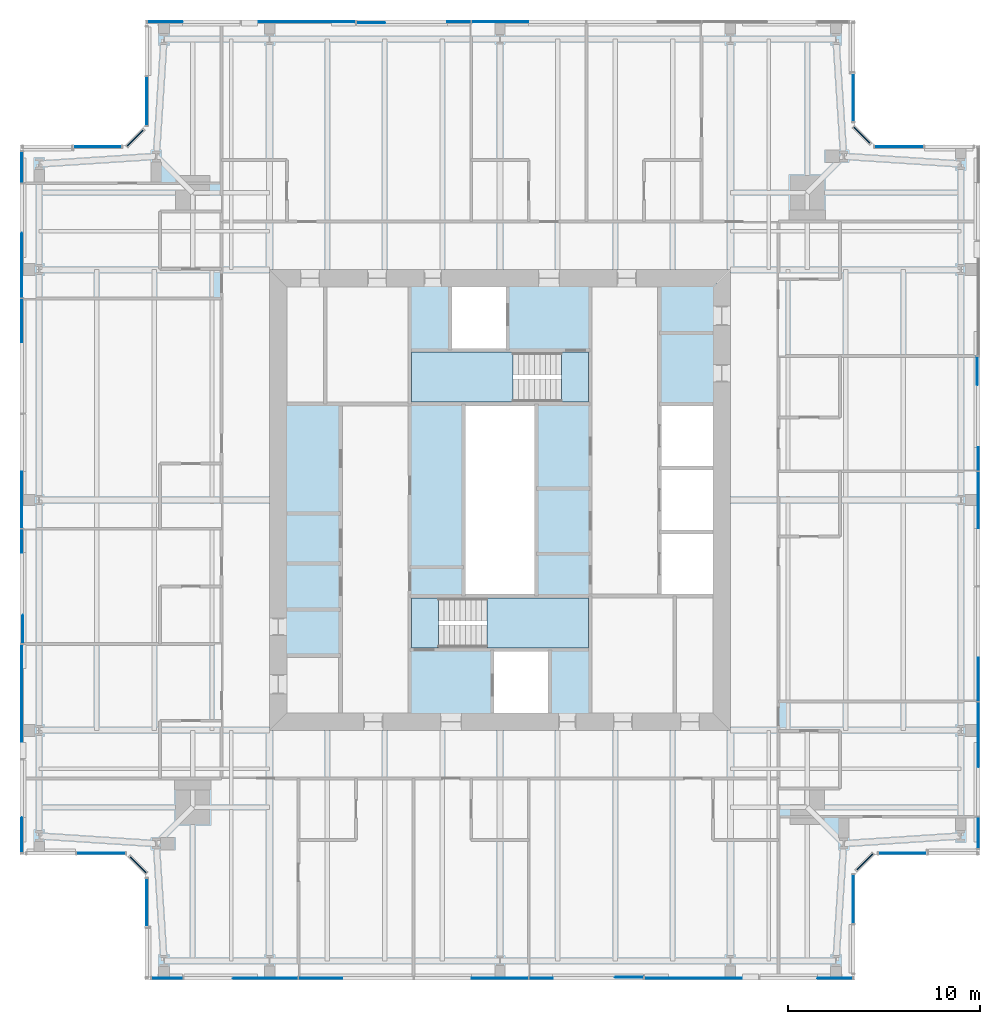
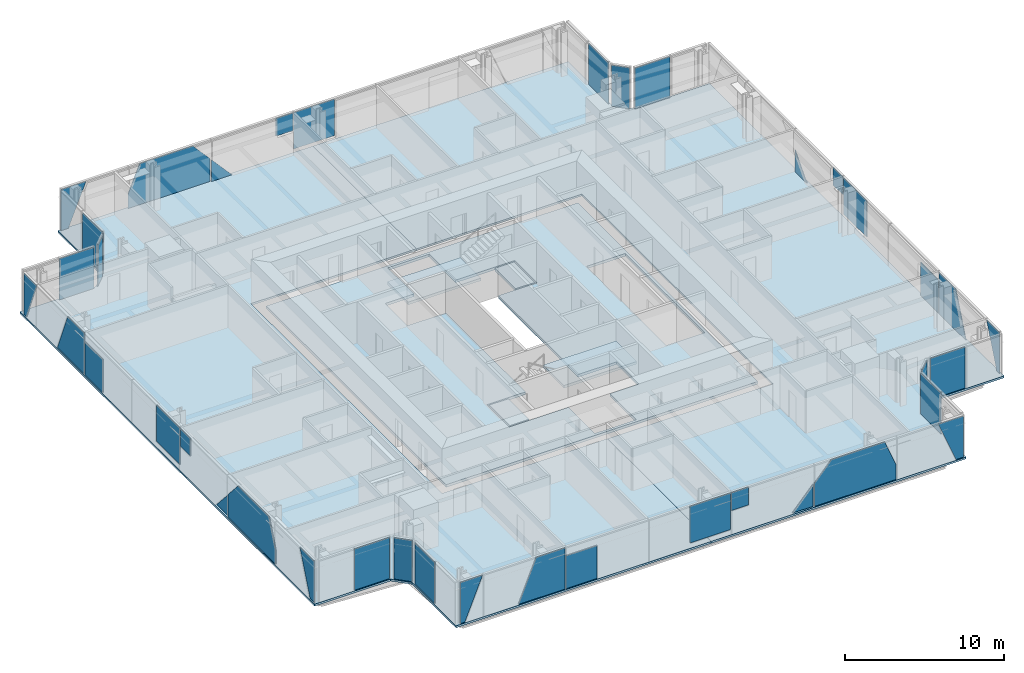
# One storey, part 10 of 20: 39 plates, 7 slabs, 18 elements without a shape of their own.
"""IFC4 building model written with IfcOpenShell, lengths in metres."""

from ifc_helpers import new_model, si_unit, direction, frame, origin, origin_2d, place, context, subcontext, project, spatial, polyline, rectangle, outline, extrude, material, layer, layer_set, type_object, element, aggregate, save


model = new_model("IFC4")

# Units and contexts
model_context = context("Model", 3, precision=1e-05, world=origin(), true_north=direction((0.0, 1.0)))
body_context = subcontext(model_context, "Body", "Model", "MODEL_VIEW")
ifc_project = project(units=[si_unit("LENGTHUNIT", "METRE"), si_unit("AREAUNIT", "SQUARE_METRE"), si_unit("VOLUMEUNIT", "CUBIC_METRE"), si_unit("PLANEANGLEUNIT", "RADIAN"), si_unit("MASSUNIT", "GRAM", prefix="KILO")], contexts=[model_context])

# Site, building, storey
site_placement = place(None, origin())
site = spatial("IfcSite", under=ifc_project, at=site_placement, CompositionType="ELEMENT")
building_placement = place(site_placement, origin())
building = spatial("IfcBuilding", under=site, at=building_placement, Name="Fenwick Lantern Interchange", CompositionType="ELEMENT")
storey_placement = place(building_placement, frame((0.0, 0.0, 286.60009765625)))
storey = spatial("IfcBuildingStorey", under=building, at=storey_placement, Name="L69", CompositionType="ELEMENT", Elevation=286.60009765625)

# Slabs
ifc_material_1 = material(Name="Concrete f'c 35 MPa", Category="concrete")
ifc_layer_1 = layer(ifc_material_1, 0.199951171875)
ifc_layer_set_1 = layer_set([ifc_layer_1], Name="CORE FLOOR SLAB 200")
slab_type_1 = type_object("IfcSlabType", Name="CORE FLOOR SLAB 200", PredefinedType="FLOOR", material=ifc_layer_set_1)
slab_1_placement = place(storey_placement, frame((0.0, 0.0, -0.2001953125)))
element("IfcSlab", 1, at=slab_1_placement, inside=storey, type_object=slab_type_1, Name="L69/SLAB/CORE", PredefinedType="FLOOR", context=body_context, shape_type="SweptSolid", body=[
    extrude(outline(polyline([(13.699951171875, 36.300048828125), (36.300048828125, 36.300048828125), (36.300048828125, 13.699951171875), (13.699951171875, 13.699951171875), (13.699951171875, 36.300048828125)]), holes=[polyline([(24.60009765625, 13.89990234375), (27.60009765625, 13.89990234375), (27.60009765625, 17.199951171875), (29.699951171875, 17.199951171875), (29.699951171875, 20.0), (26.89990234375, 20.0), (26.89990234375, 30.0), (29.699951171875, 30.0), (29.699951171875, 32.800048828125), (25.39990234375, 32.800048828125), (25.39990234375, 36.10009765625), (22.39990234375, 36.10009765625), (22.39990234375, 32.800048828125), (20.300048828125, 32.800048828125), (20.300048828125, 30.0), (23.10009765625, 30.0), (23.10009765625, 20.0), (20.300048828125, 20.0), (20.300048828125, 17.199951171875), (24.60009765625, 17.199951171875), (24.60009765625, 13.89990234375)]), polyline([(33.300048828125, 20.0), (36.10009765625, 20.0), (36.10009765625, 23.333251953125), (36.10009765625, 26.666748046875), (36.10009765625, 30.0), (33.300048828125, 30.0), (33.300048828125, 26.666748046875), (33.300048828125, 23.333251953125), (33.300048828125, 20.0)])]), origin(), (0.0, 0.0, 1.0), 0.2001953125),
])
ifc_material_2 = material(Name="Concrete f'c 35 MPa", Category="concrete")
ifc_layer_2 = layer(ifc_material_2, 0.14990234375)
ifc_layer_set_2 = layer_set([ifc_layer_2], Name="Concrete f'c 35 MPa")
slab_type_2 = type_object("IfcSlabType", Name="FLOOR SLAB 150", PredefinedType="FLOOR", material=ifc_layer_set_2)
slab_2_placement = place(storey_placement, frame((0.0, 0.0, -0.150146484375)))
element("IfcSlab", 2, at=slab_2_placement, inside=storey, type_object=slab_type_2, Name="L69/SLAB/FW", PredefinedType="FLOOR", context=body_context, shape_type="SweptSolid", body=[
    extrude(outline(polyline([(6.5, 0.0), (6.5, 5.5), (5.5, 6.5), (0.0, 6.5), (0.0, 43.5), (5.5, 43.5), (6.5, 44.5), (6.5, 50.0), (25.0, 50.0), (25.0, 37.0), (13.0, 37.0), (13.0, 13.0), (25.0, 13.0), (25.0, 0.0), (6.5, 0.0)])), origin(), (0.0, 0.0, 1.0), 0.150146484375),
])
slab_3_placement = place(storey_placement, frame((0.0, 0.0, -0.150146484375)))
element("IfcSlab", 3, at=slab_3_placement, inside=storey, type_object=slab_type_2, Name="L69/SLAB/FE", PredefinedType="FLOOR", context=body_context, shape_type="SweptSolid", body=[
    extrude(outline(polyline([(43.5, 50.0), (43.5, 44.5), (44.5, 43.5), (50.0, 43.5), (50.0, 6.5), (44.5, 6.5), (43.5, 5.5), (43.5, 0.0), (25.0, 0.0), (25.0, 13.0), (37.0, 13.0), (37.0, 37.0), (25.0, 37.0), (25.0, 50.0), (43.5, 50.0)])), origin(), (0.0, 0.0, 1.0), 0.150146484375),
])

# Curtain wall, plates
ifc_material_3 = material(Name="Aluminium curtain wall frame", Category="aluminium")
curtain_wall_type = type_object("IfcCurtainWallType", Name="HOTEL CURTAIN WALL", PredefinedType="USERDEFINED", material=ifc_material_3)
curtain_wall_1_placement = place(storey_placement, origin())
curtain_wall_1 = element("IfcCurtainWall", 4, at=curtain_wall_1_placement, inside=storey, type_object=curtain_wall_type, Name="Hotel curtain wall 01", ObjectType="HOTEL CURTAIN WALL", PredefinedType="USERDEFINED")
ifc_material_4 = material(Name="Vision glass, acoustic laminated double glazed unit", Category="glass")
ifc_layer_3 = layer(ifc_material_4, 0.052001953125)
ifc_layer_set_3 = layer_set([ifc_layer_3], Name="HOTEL CURTAIN WALL PANEL 52")
plate_type = type_object("IfcPlateType", Name="HOTEL CURTAIN WALL PANEL 52", PredefinedType="CURTAIN_PANEL", material=ifc_layer_set_3)
plate_1_placement = place(storey_placement, frame((6.60009765625, 0.10009765625, 0.0), z_axis=(0.0, 0.0, 1.0), x_axis=(1.0, 0.0, 0.0)))
plate_1 = element("IfcPlate", 5, at=plate_1_placement, type_object=plate_type, Name="L69/CW/01/P00a", PredefinedType="CURTAIN_PANEL", context=body_context, shape_type="SweptSolid", body=[
    extrude(outline(polyline([(0.260009765625, 0.0), (0.58984375, 0.0), (1.8701171875, 3.138427734375), (1.8701171875, 3.14990234375), (0.260009765625, 3.14990234375), (0.260009765625, 0.0)])), frame((0.0, 0.02587890625, 0.0), z_axis=(0.0, -1.0, 0.0), x_axis=(1.0, 0.0, 0.0)), (0.0, 0.0, 1.0), 0.052001953125),
])
plate_2_placement = place(storey_placement, frame((6.60009765625, 0.10009765625, 0.0), z_axis=(0.0, 0.0, 1.0), x_axis=(1.0, 0.0, 0.0)))
plate_2 = element("IfcPlate", 6, at=plate_2_placement, type_object=plate_type, Name="L69/CW/01/P01a", PredefinedType="CURTAIN_PANEL", context=body_context, shape_type="SweptSolid", body=[
    extrude(outline(polyline([(4.477783203125, 0.0), (7.8701171875, 0.0), (7.8701171875, 3.14990234375), (5.7626953125, 3.14990234375), (4.477783203125, 0.0)])), frame((0.0, 0.02587890625, 0.0), z_axis=(0.0, -1.0, 0.0), x_axis=(1.0, 0.0, 0.0)), (0.0, 0.0, 1.0), 0.052001953125),
])
plate_3_placement = place(storey_placement, frame((6.60009765625, 0.10009765625, 0.0), z_axis=(0.0, 0.0, 1.0), x_axis=(1.0, 0.0, 0.0)))
plate_3 = element("IfcPlate", 7, at=plate_3_placement, type_object=plate_type, Name="L69/CW/01/P02a", PredefinedType="CURTAIN_PANEL", context=body_context, shape_type="SweptSolid", body=[
    extrude(outline(polyline([(7.929931640625, 0.0), (10.179931640625, 0.0), (10.179931640625, 2.5234375), (7.929931640625, 2.5234375), (7.929931640625, 0.0)])), frame((0.0, 0.02587890625, 0.0), z_axis=(0.0, -1.0, 0.0), x_axis=(1.0, 0.0, 0.0)), (0.0, 0.0, 1.0), 0.052001953125),
])
plate_4_placement = place(storey_placement, frame((6.60009765625, 0.10009765625, 0.357421875), z_axis=(0.0, 0.0, 1.0), x_axis=(1.0, 0.0, 0.0)))
plate_4 = element("IfcPlate", 8, at=plate_4_placement, type_object=plate_type, Name="L69/CW/01/P03a", PredefinedType="CURTAIN_PANEL", context=body_context, shape_type="SweptSolid", body=[
    extrude(outline(polyline([(16.926513671875, 0.0), (19.8701171875, 0.0), (19.8701171875, 2.79248046875), (16.926513671875, 2.79248046875), (16.926513671875, 0.0)])), frame((0.0, 0.02587890625, 0.0), z_axis=(0.0, -1.0, 0.0), x_axis=(1.0, 0.0, 0.0)), (0.0, 0.0, 1.0), 0.052001953125),
])
plate_5_placement = place(storey_placement, frame((6.60009765625, 0.10009765625, 1.786376953125), z_axis=(0.0, 0.0, 1.0), x_axis=(1.0, 0.0, 0.0)))
plate_5 = element("IfcPlate", 9, at=plate_5_placement, type_object=plate_type, Name="L69/CW/01/P04a", PredefinedType="CURTAIN_PANEL", context=body_context, shape_type="SweptSolid", body=[
    extrude(outline(polyline([(19.929931640625, 0.0), (21.14501953125, 0.0), (21.14501953125, 1.363525390625), (19.929931640625, 1.363525390625), (19.929931640625, 0.0)])), frame((0.0, 0.02587890625, 0.0), z_axis=(0.0, -1.0, 0.0), x_axis=(1.0, 0.0, 0.0)), (0.0, 0.0, 1.0), 0.052001953125),
])
plate_6_placement = place(storey_placement, frame((6.60009765625, 0.10009765625, 0.0), z_axis=(0.0, 0.0, 1.0), x_axis=(1.0, 0.0, 0.0)))
plate_6 = element("IfcPlate", 10, at=plate_6_placement, type_object=plate_type, Name="L69/CW/01/P04b", PredefinedType="CURTAIN_PANEL", context=body_context, shape_type="SweptSolid", body=[
    extrude(outline(polyline([(24.374267578125, 0.0), (25.8701171875, 0.0), (25.8701171875, 1.6806640625), (24.374267578125, 0.0)])), frame((0.0, 0.080078125, 0.0), z_axis=(0.0, -1.0, 0.0), x_axis=(1.0, 0.0, 0.0)), (0.0, 0.0, 1.0), 0.052001953125),
])
plate_7_placement = place(storey_placement, frame((6.60009765625, 0.10009765625, 0.0), z_axis=(0.0, 0.0, 1.0), x_axis=(1.0, 0.0, 0.0)))
plate_7 = element("IfcPlate", 11, at=plate_7_placement, type_object=plate_type, Name="L69/CW/01/P05a", PredefinedType="CURTAIN_PANEL", context=body_context, shape_type="SweptSolid", body=[
    extrude(outline(polyline([(25.929931640625, 0.0), (31.8701171875, 0.0), (31.8701171875, 1.1083984375), (31.037353515625, 3.14990234375), (27.177490234375, 3.14990234375), (25.929931640625, 1.748046875), (25.929931640625, 0.0)])), frame((0.0, 0.02587890625, 0.0), z_axis=(0.0, -1.0, 0.0), x_axis=(1.0, 0.0, 0.0)), (0.0, 0.0, 1.0), 0.052001953125),
])
plate_8_placement = place(storey_placement, frame((6.60009765625, 0.10009765625, 0.0), z_axis=(0.0, 0.0, 1.0), x_axis=(1.0, 0.0, 0.0)))
plate_8 = element("IfcPlate", 12, at=plate_8_placement, type_object=plate_type, Name="L69/CW/01/P06a", PredefinedType="CURTAIN_PANEL", context=body_context, shape_type="SweptSolid", body=[
    extrude(outline(polyline([(36.2099609375, 0.0), (36.739990234375, 0.0), (36.739990234375, 3.14990234375), (34.92529296875, 3.14990234375), (36.2099609375, 0.0)])), frame((0.0, 0.02587890625, 0.0), z_axis=(0.0, -1.0, 0.0), x_axis=(1.0, 0.0, 0.0)), (0.0, 0.0, 1.0), 0.052001953125),
])
aggregate(curtain_wall_1, [plate_1, plate_2, plate_3, plate_4, plate_5, plate_6, plate_7, plate_8])

# Curtain wall, plate
curtain_wall_2_placement = place(storey_placement, origin())
curtain_wall_2 = element("IfcCurtainWall", 13, at=curtain_wall_2_placement, inside=storey, type_object=curtain_wall_type, Name="Hotel curtain wall 02", ObjectType="HOTEL CURTAIN WALL", PredefinedType="USERDEFINED")
plate_9_placement = place(storey_placement, frame((43.39990234375, 4.216064453125, 0.0), z_axis=(0.0, 0.0, 1.0), x_axis=(0.0, 1.0, 0.0)))
plate_9 = element("IfcPlate", 14, at=plate_9_placement, type_object=plate_type, Name="L69/CW/02/P01", PredefinedType="CURTAIN_PANEL", context=body_context, shape_type="SweptSolid", body=[
    extrude(rectangle(XDim=2.53076171875, YDim=0.052001953125, at=origin_2d()), origin(), (0.0, 0.0, 1.0), 3.14990234375),
])
aggregate(curtain_wall_2, [plate_9])

curtain_wall_3_placement = place(storey_placement, origin())
curtain_wall_3 = element("IfcCurtainWall", 15, at=curtain_wall_3_placement, inside=storey, type_object=curtain_wall_type, Name="Hotel curtain wall 03", ObjectType="HOTEL CURTAIN WALL", PredefinedType="USERDEFINED")
plate_10_placement = place(storey_placement, frame((44.0, 6.141357421875, 0.0), z_axis=(0.0, 0.0, 1.0), x_axis=(0.707106781187, 0.707106781187, 0.0)))
plate_10 = element("IfcPlate", 16, at=plate_10_placement, type_object=plate_type, Name="L69/CW/03/P00", PredefinedType="CURTAIN_PANEL", context=body_context, shape_type="SweptSolid", body=[
    extrude(rectangle(XDim=1.177001953125, YDim=0.052001953125, at=origin_2d()), origin(), (0.0, 0.0, 1.0), 3.14990234375),
])
aggregate(curtain_wall_3, [plate_10])

curtain_wall_4_placement = place(storey_placement, origin())
curtain_wall_4 = element("IfcCurtainWall", 17, at=curtain_wall_4_placement, inside=storey, type_object=curtain_wall_type, Name="Hotel curtain wall 04", ObjectType="HOTEL CURTAIN WALL", PredefinedType="USERDEFINED")
plate_11_placement = place(storey_placement, frame((44.45849609375, 6.60009765625, 0.0), z_axis=(0.0, 0.0, 1.0), x_axis=(1.0, 0.0, 0.0)))
plate_11 = element("IfcPlate", 18, at=plate_11_placement, type_object=plate_type, Name="L69/CW/04/P00a", PredefinedType="CURTAIN_PANEL", context=body_context, shape_type="SweptSolid", body=[
    extrude(outline(polyline([(0.260009765625, 0.0), (2.741455078125, 0.0), (2.741455078125, 3.14990234375), (0.260009765625, 3.14990234375), (0.260009765625, 0.0)])), frame((0.0, 0.02587890625, 0.0), z_axis=(0.0, -1.0, 0.0), x_axis=(1.0, 0.0, 0.0)), (0.0, 0.0, 1.0), 0.052001953125),
])
aggregate(curtain_wall_4, [plate_11])

# Curtain wall, plates
curtain_wall_5_placement = place(storey_placement, origin())
curtain_wall_5 = element("IfcCurtainWall", 19, at=curtain_wall_5_placement, inside=storey, type_object=curtain_wall_type, Name="Hotel curtain wall 05", ObjectType="HOTEL CURTAIN WALL", PredefinedType="USERDEFINED")
plate_12_placement = place(storey_placement, frame((49.89990234375, 6.60009765625, 0.0), z_axis=(0.0, 0.0, 1.0), x_axis=(0.0, 1.0, 0.0)))
plate_12 = element("IfcPlate", 20, at=plate_12_placement, type_object=plate_type, Name="L69/CW/05/P00a", PredefinedType="CURTAIN_PANEL", context=body_context, shape_type="SweptSolid", body=[
    extrude(outline(polyline([(0.260009765625, 0.0), (0.58984375, 0.0), (1.8701171875, 3.138427734375), (1.8701171875, 3.14990234375), (0.260009765625, 3.14990234375), (0.260009765625, 0.0)])), frame((0.0, 0.02587890625, 0.0), z_axis=(0.0, -1.0, 0.0), x_axis=(1.0, 0.0, 0.0)), (0.0, 0.0, 1.0), 0.052001953125),
])
plate_13_placement = place(storey_placement, frame((49.89990234375, 6.60009765625, 0.0), z_axis=(0.0, 0.0, 1.0), x_axis=(0.0, 1.0, 0.0)))
plate_13 = element("IfcPlate", 21, at=plate_13_placement, type_object=plate_type, Name="L69/CW/05/P01a", PredefinedType="CURTAIN_PANEL", context=body_context, shape_type="SweptSolid", body=[
    extrude(outline(polyline([(4.477783203125, 0.0), (7.8701171875, 0.0), (7.8701171875, 3.14990234375), (5.7626953125, 3.14990234375), (4.477783203125, 0.0)])), frame((0.0, 0.02587890625, 0.0), z_axis=(0.0, -1.0, 0.0), x_axis=(1.0, 0.0, 0.0)), (0.0, 0.0, 1.0), 0.052001953125),
])
plate_14_placement = place(storey_placement, frame((49.89990234375, 6.60009765625, 0.0), z_axis=(0.0, 0.0, 1.0), x_axis=(0.0, 1.0, 0.0)))
plate_14 = element("IfcPlate", 22, at=plate_14_placement, type_object=plate_type, Name="L69/CW/05/P02a", PredefinedType="CURTAIN_PANEL", context=body_context, shape_type="SweptSolid", body=[
    extrude(outline(polyline([(7.929931640625, 0.0), (10.179931640625, 0.0), (10.179931640625, 2.5234375), (7.929931640625, 2.5234375), (7.929931640625, 0.0)])), frame((0.0, 0.02587890625, 0.0), z_axis=(0.0, -1.0, 0.0), x_axis=(1.0, 0.0, 0.0)), (0.0, 0.0, 1.0), 0.052001953125),
])
plate_15_placement = place(storey_placement, frame((49.89990234375, 6.60009765625, 0.357421875), z_axis=(0.0, 0.0, 1.0), x_axis=(0.0, 1.0, 0.0)))
plate_15 = element("IfcPlate", 23, at=plate_15_placement, type_object=plate_type, Name="L69/CW/05/P03a", PredefinedType="CURTAIN_PANEL", context=body_context, shape_type="SweptSolid", body=[
    extrude(outline(polyline([(16.926513671875, 0.0), (19.8701171875, 0.0), (19.8701171875, 2.79248046875), (16.926513671875, 2.79248046875), (16.926513671875, 0.0)])), frame((0.0, 0.02587890625, 0.0), z_axis=(0.0, -1.0, 0.0), x_axis=(1.0, 0.0, 0.0)), (0.0, 0.0, 1.0), 0.052001953125),
])
plate_16_placement = place(storey_placement, frame((49.89990234375, 6.60009765625, 1.786376953125), z_axis=(0.0, 0.0, 1.0), x_axis=(0.0, 1.0, 0.0)))
plate_16 = element("IfcPlate", 24, at=plate_16_placement, type_object=plate_type, Name="L69/CW/05/P04a", PredefinedType="CURTAIN_PANEL", context=body_context, shape_type="SweptSolid", body=[
    extrude(outline(polyline([(19.929931640625, 0.0), (21.14501953125, 0.0), (21.14501953125, 1.363525390625), (19.929931640625, 1.363525390625), (19.929931640625, 0.0)])), frame((0.0, 0.02587890625, 0.0), z_axis=(0.0, -1.0, 0.0), x_axis=(1.0, 0.0, 0.0)), (0.0, 0.0, 1.0), 0.052001953125),
])
plate_17_placement = place(storey_placement, frame((49.89990234375, 6.60009765625, 0.0), z_axis=(0.0, 0.0, 1.0), x_axis=(0.0, 1.0, 0.0)))
plate_17 = element("IfcPlate", 25, at=plate_17_placement, type_object=plate_type, Name="L69/CW/05/P04b", PredefinedType="CURTAIN_PANEL", context=body_context, shape_type="SweptSolid", body=[
    extrude(outline(polyline([(24.374267578125, 0.0), (25.8701171875, 0.0), (25.8701171875, 1.6806640625), (24.374267578125, 0.0)])), frame((0.0, 0.080078125, 0.0), z_axis=(0.0, -1.0, 0.0), x_axis=(1.0, 0.0, 0.0)), (0.0, 0.0, 1.0), 0.052001953125),
])
aggregate(curtain_wall_5, [plate_12, plate_13, plate_14, plate_15, plate_16, plate_17])

# Curtain wall, plate
curtain_wall_6_placement = place(storey_placement, origin())
curtain_wall_6 = element("IfcCurtainWall", 26, at=curtain_wall_6_placement, inside=storey, type_object=curtain_wall_type, Name="Hotel curtain wall 06", ObjectType="HOTEL CURTAIN WALL", PredefinedType="USERDEFINED")
plate_18_placement = place(storey_placement, frame((45.783935546875, 43.39990234375, 0.0), z_axis=(0.0, 0.0, 1.0), x_axis=(-1.0, 0.0, 0.0)))
plate_18 = element("IfcPlate", 27, at=plate_18_placement, type_object=plate_type, Name="L69/CW/06/P01", PredefinedType="CURTAIN_PANEL", context=body_context, shape_type="SweptSolid", body=[
    extrude(rectangle(XDim=2.53076171875, YDim=0.052001953125, at=origin_2d()), origin(), (0.0, 0.0, 1.0), 3.14990234375),
])
aggregate(curtain_wall_6, [plate_18])

curtain_wall_7_placement = place(storey_placement, origin())
curtain_wall_7 = element("IfcCurtainWall", 28, at=curtain_wall_7_placement, inside=storey, type_object=curtain_wall_type, Name="Hotel curtain wall 07", ObjectType="HOTEL CURTAIN WALL", PredefinedType="USERDEFINED")
plate_19_placement = place(storey_placement, frame((43.858642578125, 44.0, 0.0), z_axis=(0.0, 0.0, 1.0), x_axis=(-0.707106781187, 0.707106781187, 0.0)))
plate_19 = element("IfcPlate", 29, at=plate_19_placement, type_object=plate_type, Name="L69/CW/07/P00", PredefinedType="CURTAIN_PANEL", context=body_context, shape_type="SweptSolid", body=[
    extrude(rectangle(XDim=1.177001953125, YDim=0.052001953125, at=origin_2d()), origin(), (0.0, 0.0, 1.0), 3.14990234375),
])
aggregate(curtain_wall_7, [plate_19])

curtain_wall_8_placement = place(storey_placement, origin())
curtain_wall_8 = element("IfcCurtainWall", 30, at=curtain_wall_8_placement, inside=storey, type_object=curtain_wall_type, Name="Hotel curtain wall 08", ObjectType="HOTEL CURTAIN WALL", PredefinedType="USERDEFINED")
plate_20_placement = place(storey_placement, frame((43.39990234375, 44.45849609375, 0.0), z_axis=(0.0, 0.0, 1.0), x_axis=(0.0, 1.0, 0.0)))
plate_20 = element("IfcPlate", 31, at=plate_20_placement, type_object=plate_type, Name="L69/CW/08/P00a", PredefinedType="CURTAIN_PANEL", context=body_context, shape_type="SweptSolid", body=[
    extrude(outline(polyline([(0.260009765625, 0.0), (2.741455078125, 0.0), (2.741455078125, 3.14990234375), (0.260009765625, 3.14990234375), (0.260009765625, 0.0)])), frame((0.0, 0.02587890625, 0.0), z_axis=(0.0, -1.0, 0.0), x_axis=(1.0, 0.0, 0.0)), (0.0, 0.0, 1.0), 0.052001953125),
])
aggregate(curtain_wall_8, [plate_20])

# Curtain wall, plates
curtain_wall_9_placement = place(storey_placement, origin())
curtain_wall_9 = element("IfcCurtainWall", 32, at=curtain_wall_9_placement, inside=storey, type_object=curtain_wall_type, Name="Hotel curtain wall 09", ObjectType="HOTEL CURTAIN WALL", PredefinedType="USERDEFINED")
plate_21_placement = place(storey_placement, frame((43.39990234375, 49.89990234375, 0.357421875), z_axis=(0.0, 0.0, 1.0), x_axis=(-1.0, 0.0, 0.0)))
plate_21 = element("IfcPlate", 33, at=plate_21_placement, type_object=plate_type, Name="L69/CW/09/P03a", PredefinedType="CURTAIN_PANEL", context=body_context, shape_type="SweptSolid", body=[
    extrude(outline(polyline([(16.926513671875, 0.0), (19.8701171875, 0.0), (19.8701171875, 2.79248046875), (16.926513671875, 2.79248046875), (16.926513671875, 0.0)])), frame((0.0, 0.02587890625, 0.0), z_axis=(0.0, -1.0, 0.0), x_axis=(1.0, 0.0, 0.0)), (0.0, 0.0, 1.0), 0.052001953125),
])
plate_22_placement = place(storey_placement, frame((43.39990234375, 49.89990234375, 1.786376953125), z_axis=(0.0, 0.0, 1.0), x_axis=(-1.0, 0.0, 0.0)))
plate_22 = element("IfcPlate", 34, at=plate_22_placement, type_object=plate_type, Name="L69/CW/09/P04a", PredefinedType="CURTAIN_PANEL", context=body_context, shape_type="SweptSolid", body=[
    extrude(outline(polyline([(19.929931640625, 0.0), (21.14501953125, 0.0), (21.14501953125, 1.363525390625), (19.929931640625, 1.363525390625), (19.929931640625, 0.0)])), frame((0.0, 0.02587890625, 0.0), z_axis=(0.0, -1.0, 0.0), x_axis=(1.0, 0.0, 0.0)), (0.0, 0.0, 1.0), 0.052001953125),
])
plate_23_placement = place(storey_placement, frame((43.39990234375, 49.89990234375, 0.0), z_axis=(0.0, 0.0, 1.0), x_axis=(-1.0, 0.0, 0.0)))
plate_23 = element("IfcPlate", 35, at=plate_23_placement, type_object=plate_type, Name="L69/CW/09/P04b", PredefinedType="CURTAIN_PANEL", context=body_context, shape_type="SweptSolid", body=[
    extrude(outline(polyline([(24.374267578125, 0.0), (25.8701171875, 0.0), (25.8701171875, 1.6806640625), (24.374267578125, 0.0)])), frame((0.0, 0.080078125, 0.0), z_axis=(0.0, -1.0, 0.0), x_axis=(1.0, 0.0, 0.0)), (0.0, 0.0, 1.0), 0.052001953125),
])
plate_24_placement = place(storey_placement, frame((43.39990234375, 49.89990234375, 0.0), z_axis=(0.0, 0.0, 1.0), x_axis=(-1.0, 0.0, 0.0)))
plate_24 = element("IfcPlate", 36, at=plate_24_placement, type_object=plate_type, Name="L69/CW/09/P05a", PredefinedType="CURTAIN_PANEL", context=body_context, shape_type="SweptSolid", body=[
    extrude(outline(polyline([(25.929931640625, 0.0), (31.8701171875, 0.0), (31.8701171875, 1.1083984375), (31.037353515625, 3.14990234375), (27.177490234375, 3.14990234375), (25.929931640625, 1.748046875), (25.929931640625, 0.0)])), frame((0.0, 0.02587890625, 0.0), z_axis=(0.0, -1.0, 0.0), x_axis=(1.0, 0.0, 0.0)), (0.0, 0.0, 1.0), 0.052001953125),
])
plate_25_placement = place(storey_placement, frame((43.39990234375, 49.89990234375, 0.0), z_axis=(0.0, 0.0, 1.0), x_axis=(-1.0, 0.0, 0.0)))
plate_25 = element("IfcPlate", 37, at=plate_25_placement, type_object=plate_type, Name="L69/CW/09/P06a", PredefinedType="CURTAIN_PANEL", context=body_context, shape_type="SweptSolid", body=[
    extrude(outline(polyline([(36.2099609375, 0.0), (36.739990234375, 0.0), (36.739990234375, 3.14990234375), (34.92529296875, 3.14990234375), (36.2099609375, 0.0)])), frame((0.0, 0.02587890625, 0.0), z_axis=(0.0, -1.0, 0.0), x_axis=(1.0, 0.0, 0.0)), (0.0, 0.0, 1.0), 0.052001953125),
])
aggregate(curtain_wall_9, [plate_21, plate_22, plate_23, plate_24, plate_25])

# Curtain wall, plate
curtain_wall_10_placement = place(storey_placement, origin())
curtain_wall_10 = element("IfcCurtainWall", 38, at=curtain_wall_10_placement, inside=storey, type_object=curtain_wall_type, Name="Hotel curtain wall 10", ObjectType="HOTEL CURTAIN WALL", PredefinedType="USERDEFINED")
plate_26_placement = place(storey_placement, frame((6.60009765625, 45.783935546875, 0.0), z_axis=(0.0, 0.0, 1.0), x_axis=(0.0, -1.0, 0.0)))
plate_26 = element("IfcPlate", 39, at=plate_26_placement, type_object=plate_type, Name="L69/CW/10/P01", PredefinedType="CURTAIN_PANEL", context=body_context, shape_type="SweptSolid", body=[
    extrude(rectangle(XDim=2.53076171875, YDim=0.052001953125, at=origin_2d()), origin(), (0.0, 0.0, 1.0), 3.14990234375),
])
aggregate(curtain_wall_10, [plate_26])

curtain_wall_11_placement = place(storey_placement, origin())
curtain_wall_11 = element("IfcCurtainWall", 40, at=curtain_wall_11_placement, inside=storey, type_object=curtain_wall_type, Name="Hotel curtain wall 11", ObjectType="HOTEL CURTAIN WALL", PredefinedType="USERDEFINED")
plate_27_placement = place(storey_placement, frame((6.0, 43.858642578125, 0.0), z_axis=(0.0, 0.0, 1.0), x_axis=(-0.707106781187, -0.707106781187, 0.0)))
plate_27 = element("IfcPlate", 41, at=plate_27_placement, type_object=plate_type, Name="L69/CW/11/P00", PredefinedType="CURTAIN_PANEL", context=body_context, shape_type="SweptSolid", body=[
    extrude(rectangle(XDim=1.177001953125, YDim=0.052001953125, at=origin_2d()), origin(), (0.0, 0.0, 1.0), 3.14990234375),
])
aggregate(curtain_wall_11, [plate_27])

curtain_wall_12_placement = place(storey_placement, origin())
curtain_wall_12 = element("IfcCurtainWall", 42, at=curtain_wall_12_placement, inside=storey, type_object=curtain_wall_type, Name="Hotel curtain wall 12", ObjectType="HOTEL CURTAIN WALL", PredefinedType="USERDEFINED")
plate_28_placement = place(storey_placement, frame((5.54150390625, 43.39990234375, 0.0), z_axis=(0.0, 0.0, 1.0), x_axis=(-1.0, 0.0, 0.0)))
plate_28 = element("IfcPlate", 43, at=plate_28_placement, type_object=plate_type, Name="L69/CW/12/P00a", PredefinedType="CURTAIN_PANEL", context=body_context, shape_type="SweptSolid", body=[
    extrude(outline(polyline([(0.260009765625, 0.0), (2.741455078125, 0.0), (2.741455078125, 3.14990234375), (0.260009765625, 3.14990234375), (0.260009765625, 0.0)])), frame((0.0, 0.02587890625, 0.0), z_axis=(0.0, -1.0, 0.0), x_axis=(1.0, 0.0, 0.0)), (0.0, 0.0, 1.0), 0.052001953125),
])
aggregate(curtain_wall_12, [plate_28])

# Curtain wall, plates
curtain_wall_13_placement = place(storey_placement, origin())
curtain_wall_13 = element("IfcCurtainWall", 44, at=curtain_wall_13_placement, inside=storey, type_object=curtain_wall_type, Name="Hotel curtain wall 13", ObjectType="HOTEL CURTAIN WALL", PredefinedType="USERDEFINED")
plate_29_placement = place(storey_placement, frame((0.10009765625, 43.39990234375, 0.0), z_axis=(0.0, 0.0, 1.0), x_axis=(0.0, -1.0, 0.0)))
plate_29 = element("IfcPlate", 45, at=plate_29_placement, type_object=plate_type, Name="L69/CW/13/P00a", PredefinedType="CURTAIN_PANEL", context=body_context, shape_type="SweptSolid", body=[
    extrude(outline(polyline([(0.260009765625, 0.0), (0.58984375, 0.0), (1.8701171875, 3.138427734375), (1.8701171875, 3.14990234375), (0.260009765625, 3.14990234375), (0.260009765625, 0.0)])), frame((0.0, 0.02587890625, 0.0), z_axis=(0.0, -1.0, 0.0), x_axis=(1.0, 0.0, 0.0)), (0.0, 0.0, 1.0), 0.052001953125),
])
plate_30_placement = place(storey_placement, frame((0.10009765625, 43.39990234375, 0.0), z_axis=(0.0, 0.0, 1.0), x_axis=(0.0, -1.0, 0.0)))
plate_30 = element("IfcPlate", 46, at=plate_30_placement, type_object=plate_type, Name="L69/CW/13/P01a", PredefinedType="CURTAIN_PANEL", context=body_context, shape_type="SweptSolid", body=[
    extrude(outline(polyline([(4.477783203125, 0.0), (7.8701171875, 0.0), (7.8701171875, 3.14990234375), (5.7626953125, 3.14990234375), (4.477783203125, 0.0)])), frame((0.0, 0.02587890625, 0.0), z_axis=(0.0, -1.0, 0.0), x_axis=(1.0, 0.0, 0.0)), (0.0, 0.0, 1.0), 0.052001953125),
])
plate_31_placement = place(storey_placement, frame((0.10009765625, 43.39990234375, 0.0), z_axis=(0.0, 0.0, 1.0), x_axis=(0.0, -1.0, 0.0)))
plate_31 = element("IfcPlate", 47, at=plate_31_placement, type_object=plate_type, Name="L69/CW/13/P02a", PredefinedType="CURTAIN_PANEL", context=body_context, shape_type="SweptSolid", body=[
    extrude(outline(polyline([(7.929931640625, 0.0), (10.179931640625, 0.0), (10.179931640625, 2.5234375), (7.929931640625, 2.5234375), (7.929931640625, 0.0)])), frame((0.0, 0.02587890625, 0.0), z_axis=(0.0, -1.0, 0.0), x_axis=(1.0, 0.0, 0.0)), (0.0, 0.0, 1.0), 0.052001953125),
])
plate_32_placement = place(storey_placement, frame((0.10009765625, 43.39990234375, 0.357421875), z_axis=(0.0, 0.0, 1.0), x_axis=(0.0, -1.0, 0.0)))
plate_32 = element("IfcPlate", 48, at=plate_32_placement, type_object=plate_type, Name="L69/CW/13/P03a", PredefinedType="CURTAIN_PANEL", context=body_context, shape_type="SweptSolid", body=[
    extrude(outline(polyline([(16.926513671875, 0.0), (19.8701171875, 0.0), (19.8701171875, 2.79248046875), (16.926513671875, 2.79248046875), (16.926513671875, 0.0)])), frame((0.0, 0.02587890625, 0.0), z_axis=(0.0, -1.0, 0.0), x_axis=(1.0, 0.0, 0.0)), (0.0, 0.0, 1.0), 0.052001953125),
])
plate_33_placement = place(storey_placement, frame((0.10009765625, 43.39990234375, 1.786376953125), z_axis=(0.0, 0.0, 1.0), x_axis=(0.0, -1.0, 0.0)))
plate_33 = element("IfcPlate", 49, at=plate_33_placement, type_object=plate_type, Name="L69/CW/13/P04a", PredefinedType="CURTAIN_PANEL", context=body_context, shape_type="SweptSolid", body=[
    extrude(outline(polyline([(19.929931640625, 0.0), (21.14501953125, 0.0), (21.14501953125, 1.363525390625), (19.929931640625, 1.363525390625), (19.929931640625, 0.0)])), frame((0.0, 0.02587890625, 0.0), z_axis=(0.0, -1.0, 0.0), x_axis=(1.0, 0.0, 0.0)), (0.0, 0.0, 1.0), 0.052001953125),
])
plate_34_placement = place(storey_placement, frame((0.10009765625, 43.39990234375, 0.0), z_axis=(0.0, 0.0, 1.0), x_axis=(0.0, -1.0, 0.0)))
plate_34 = element("IfcPlate", 50, at=plate_34_placement, type_object=plate_type, Name="L69/CW/13/P04b", PredefinedType="CURTAIN_PANEL", context=body_context, shape_type="SweptSolid", body=[
    extrude(outline(polyline([(24.374267578125, 0.0), (25.8701171875, 0.0), (25.8701171875, 1.6806640625), (24.374267578125, 0.0)])), frame((0.0, 0.080078125, 0.0), z_axis=(0.0, -1.0, 0.0), x_axis=(1.0, 0.0, 0.0)), (0.0, 0.0, 1.0), 0.052001953125),
])
plate_35_placement = place(storey_placement, frame((0.10009765625, 43.39990234375, 0.0), z_axis=(0.0, 0.0, 1.0), x_axis=(0.0, -1.0, 0.0)))
plate_35 = element("IfcPlate", 51, at=plate_35_placement, type_object=plate_type, Name="L69/CW/13/P05a", PredefinedType="CURTAIN_PANEL", context=body_context, shape_type="SweptSolid", body=[
    extrude(outline(polyline([(25.929931640625, 0.0), (31.8701171875, 0.0), (31.8701171875, 1.1083984375), (31.037353515625, 3.14990234375), (27.177490234375, 3.14990234375), (25.929931640625, 1.748046875), (25.929931640625, 0.0)])), frame((0.0, 0.02587890625, 0.0), z_axis=(0.0, -1.0, 0.0), x_axis=(1.0, 0.0, 0.0)), (0.0, 0.0, 1.0), 0.052001953125),
])
plate_36_placement = place(storey_placement, frame((0.10009765625, 43.39990234375, 0.0), z_axis=(0.0, 0.0, 1.0), x_axis=(0.0, -1.0, 0.0)))
plate_36 = element("IfcPlate", 52, at=plate_36_placement, type_object=plate_type, Name="L69/CW/13/P06a", PredefinedType="CURTAIN_PANEL", context=body_context, shape_type="SweptSolid", body=[
    extrude(outline(polyline([(36.2099609375, 0.0), (36.739990234375, 0.0), (36.739990234375, 3.14990234375), (34.92529296875, 3.14990234375), (36.2099609375, 0.0)])), frame((0.0, 0.02587890625, 0.0), z_axis=(0.0, -1.0, 0.0), x_axis=(1.0, 0.0, 0.0)), (0.0, 0.0, 1.0), 0.052001953125),
])
aggregate(curtain_wall_13, [plate_29, plate_30, plate_31, plate_32, plate_33, plate_34, plate_35, plate_36])

# Curtain wall, plate
curtain_wall_14_placement = place(storey_placement, origin())
curtain_wall_14 = element("IfcCurtainWall", 53, at=curtain_wall_14_placement, inside=storey, type_object=curtain_wall_type, Name="Hotel curtain wall 14", ObjectType="HOTEL CURTAIN WALL", PredefinedType="USERDEFINED")
plate_37_placement = place(storey_placement, frame((4.216064453125, 6.60009765625, 0.0), z_axis=(0.0, 0.0, 1.0), x_axis=(1.0, 0.0, 0.0)))
plate_37 = element("IfcPlate", 54, at=plate_37_placement, type_object=plate_type, Name="L69/CW/14/P01", PredefinedType="CURTAIN_PANEL", context=body_context, shape_type="SweptSolid", body=[
    extrude(rectangle(XDim=2.53076171875, YDim=0.052001953125, at=origin_2d()), origin(), (0.0, 0.0, 1.0), 3.14990234375),
])
aggregate(curtain_wall_14, [plate_37])

curtain_wall_15_placement = place(storey_placement, origin())
curtain_wall_15 = element("IfcCurtainWall", 55, at=curtain_wall_15_placement, inside=storey, type_object=curtain_wall_type, Name="Hotel curtain wall 15", ObjectType="HOTEL CURTAIN WALL", PredefinedType="USERDEFINED")
plate_38_placement = place(storey_placement, frame((6.141357421875, 6.0, 0.0), z_axis=(0.0, 0.0, 1.0), x_axis=(0.707106781187, -0.707106781187, 0.0)))
plate_38 = element("IfcPlate", 56, at=plate_38_placement, type_object=plate_type, Name="L69/CW/15/P00", PredefinedType="CURTAIN_PANEL", context=body_context, shape_type="SweptSolid", body=[
    extrude(rectangle(XDim=1.177001953125, YDim=0.052001953125, at=origin_2d()), origin(), (0.0, 0.0, 1.0), 3.14990234375),
])
aggregate(curtain_wall_15, [plate_38])

curtain_wall_16_placement = place(storey_placement, origin())
curtain_wall_16 = element("IfcCurtainWall", 57, at=curtain_wall_16_placement, inside=storey, type_object=curtain_wall_type, Name="Hotel curtain wall 16", ObjectType="HOTEL CURTAIN WALL", PredefinedType="USERDEFINED")
plate_39_placement = place(storey_placement, frame((6.60009765625, 5.54150390625, 0.0), z_axis=(0.0, 0.0, 1.0), x_axis=(0.0, -1.0, 0.0)))
plate_39 = element("IfcPlate", 58, at=plate_39_placement, type_object=plate_type, Name="L69/CW/16/P00a", PredefinedType="CURTAIN_PANEL", context=body_context, shape_type="SweptSolid", body=[
    extrude(outline(polyline([(0.260009765625, 0.0), (2.741455078125, 0.0), (2.741455078125, 3.14990234375), (0.260009765625, 3.14990234375), (0.260009765625, 0.0)])), frame((0.0, 0.02587890625, 0.0), z_axis=(0.0, -1.0, 0.0), x_axis=(1.0, 0.0, 0.0)), (0.0, 0.0, 1.0), 0.052001953125),
])
aggregate(curtain_wall_16, [plate_39])

# Stair, slabs
ifc_material_5 = material(Name="Precast concrete f'c 35 MPa", Category="concrete")
stair_type = type_object("IfcStairType", Name="EXIT STAIR 1200", PredefinedType="HALF_TURN_STAIR", material=ifc_material_5)
stair_1_placement = place(storey_placement, origin())
stair_1 = element("IfcStair", 59, at=stair_1_placement, inside=storey, type_object=stair_type, Name="Exit stair ST1", PredefinedType="HALF_TURN_STAIR")
ifc_layer_4 = layer(ifc_material_1, 0.199951171875)
ifc_layer_set_4 = layer_set([ifc_layer_4], Name="STAIR LANDING 200")
slab_type_3 = type_object("IfcSlabType", Name="STAIR LANDING 200", PredefinedType="LANDING", material=ifc_layer_set_4)
slab_4_placement = place(storey_placement, frame((0.0, 0.0, 1.5)))
slab_4 = element("IfcSlab", 60, at=slab_4_placement, type_object=slab_type_3, Name="ST1 landing 1", PredefinedType="LANDING", context=body_context, shape_type="SweptSolid", body=[
    extrude(outline(polyline([(24.320068359375, 17.300048828125), (29.60009765625, 17.300048828125), (29.60009765625, 19.89990234375), (24.320068359375, 19.89990234375), (24.320068359375, 17.300048828125)])), origin(), (0.0, 0.0, 1.0), 0.199951171875),
])
slab_5_placement = place(storey_placement, frame((0.0, 0.0, -0.2001953125)))
slab_5 = element("IfcSlab", 61, at=slab_5_placement, type_object=slab_type_3, Name="ST1 landing 2", PredefinedType="LANDING", context=body_context, shape_type="SweptSolid", body=[
    extrude(outline(polyline([(20.39990234375, 17.300048828125), (21.800048828125, 17.300048828125), (21.800048828125, 19.89990234375), (20.39990234375, 19.89990234375), (20.39990234375, 17.300048828125)])), origin(), (0.0, 0.0, 1.0), 0.2001953125),
])
aggregate(stair_1, [slab_4, slab_5])

stair_2_placement = place(storey_placement, origin())
stair_2 = element("IfcStair", 62, at=stair_2_placement, inside=storey, type_object=stair_type, Name="Exit stair ST2", PredefinedType="HALF_TURN_STAIR")
slab_6_placement = place(storey_placement, frame((0.0, 0.0, 1.5)))
slab_6 = element("IfcSlab", 63, at=slab_6_placement, type_object=slab_type_3, Name="ST2 landing 1", PredefinedType="LANDING", context=body_context, shape_type="SweptSolid", body=[
    extrude(outline(polyline([(25.679931640625, 32.699951171875), (20.39990234375, 32.699951171875), (20.39990234375, 30.10009765625), (25.679931640625, 30.10009765625), (25.679931640625, 32.699951171875)])), origin(), (0.0, 0.0, 1.0), 0.199951171875),
])
slab_7_placement = place(storey_placement, frame((0.0, 0.0, -0.2001953125)))
slab_7 = element("IfcSlab", 64, at=slab_7_placement, type_object=slab_type_3, Name="ST2 landing 2", PredefinedType="LANDING", context=body_context, shape_type="SweptSolid", body=[
    extrude(outline(polyline([(29.60009765625, 32.699951171875), (28.199951171875, 32.699951171875), (28.199951171875, 30.10009765625), (29.60009765625, 30.10009765625), (29.60009765625, 32.699951171875)])), origin(), (0.0, 0.0, 1.0), 0.2001953125),
])
aggregate(stair_2, [slab_6, slab_7])

save(model, "model.ifc")
